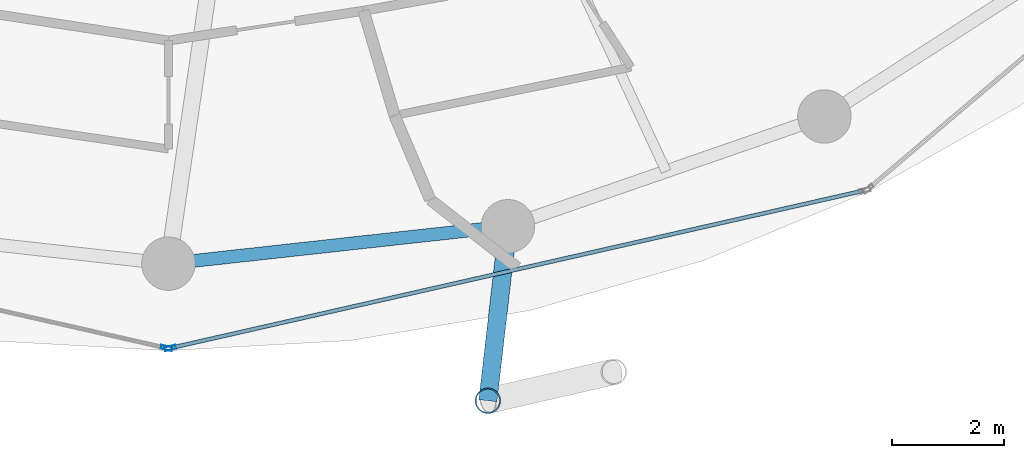
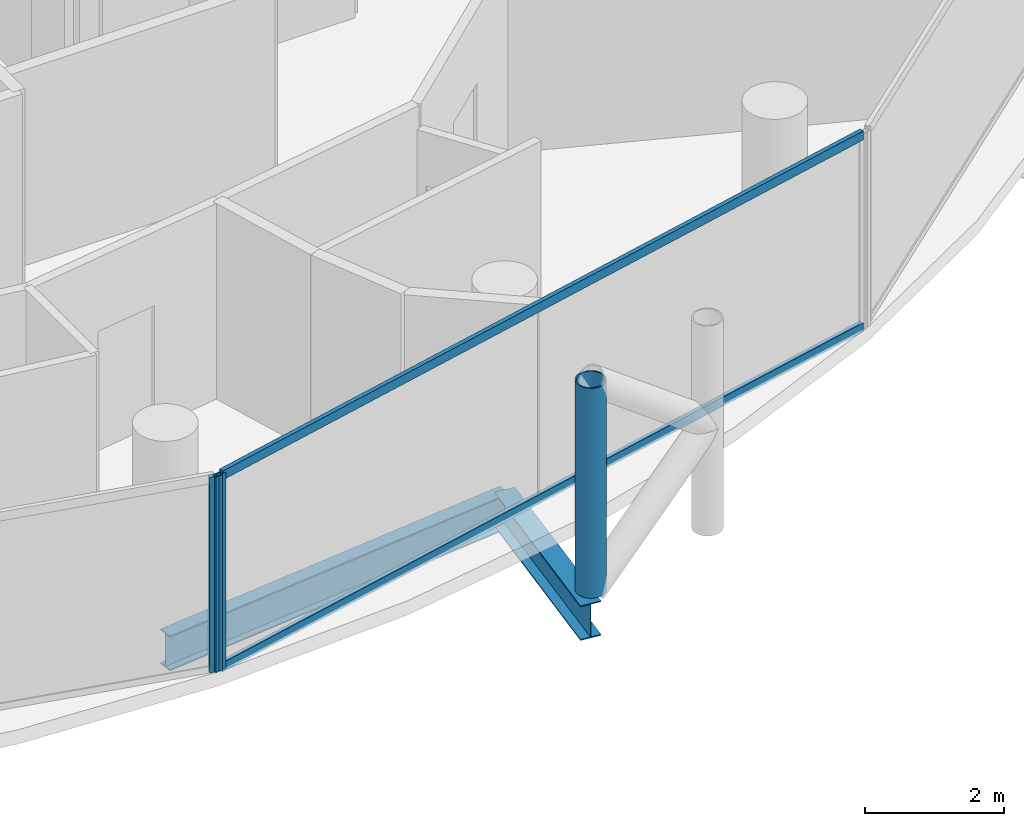
# One storey, part 4 of 26: 5 members, 2 beams, 2 elements without a shape of their own.
"""IFC4 building model written with IfcOpenShell, lengths in metres."""

from ifc_helpers import new_model, si_unit, direction, frame, origin, origin_2d, place, context, subcontext, project, spatial, hollow_rectangle, hollow_circle, i_section, extrude, material, layer, layer_set, material_profile, profile_set, type_object, element, aggregate, save


model = new_model("IFC4")

# Units and contexts
model_context = context("Model", 3, precision=1e-05, world=origin(), true_north=direction((0.0, 1.0)))
body_context = subcontext(model_context, "Body", "Model", "MODEL_VIEW")
ifc_project = project(units=[si_unit("LENGTHUNIT", "METRE"), si_unit("AREAUNIT", "SQUARE_METRE"), si_unit("VOLUMEUNIT", "CUBIC_METRE"), si_unit("PLANEANGLEUNIT", "RADIAN"), si_unit("MASSUNIT", "GRAM", prefix="KILO")], contexts=[model_context])

# Site, building, storey
site_placement = place(None, origin())
site = spatial("IfcSite", under=ifc_project, at=site_placement, CompositionType="ELEMENT")
building_placement = place(site_placement, origin())
building = spatial("IfcBuilding", under=site, at=building_placement, Name="Nuhasar Tower", CompositionType="ELEMENT")
storey_placement = place(building_placement, frame((0.0, 0.0, 144.14990234375)))
storey = spatial("IfcBuildingStorey", under=building, at=storey_placement, Name="L34", CompositionType="ELEMENT", Elevation=144.14990234375)

# Beams
ifc_material_1 = material(Name="Steel S355", Category="steel")
ifc_material_profile_1 = material_profile(ifc_material_1, i_section(OverallWidth=0.22998046875, OverallDepth=0.616943359375, WebThickness=0.01318359375, FlangeThickness=0.022216796875, at=origin_2d()), Name="W24X94")
ifc_profile_set_1 = profile_set([ifc_material_profile_1], Name="Steel S355")
beam_type_1 = type_object("IfcBeamType", Name="BM-RING-W24X94", PredefinedType="SPANDREL", material=ifc_profile_set_1)
beam_1_placement = place(storey_placement, frame((39.0, 7.25, -0.558837890625), z_axis=(0.993981289157, 0.109549974015, 0.0), x_axis=(-0.109549974015, 0.993981289157, 0.0)))
element("IfcBeam", 1, at=beam_1_placement, inside=storey, type_object=beam_type_1, Name="L34 Perimeter Ring Spandrel 19", PredefinedType="SPANDREL", context=body_context, shape_type="SweptSolid", body=[
    extrude(i_section(OverallWidth=0.22998046875, OverallDepth=0.616943359375, WebThickness=0.01318359375, FlangeThickness=0.022216796875, at=origin_2d()), origin(), (0.0, 0.0, 1.0), 6.07958984375),
])
ifc_material_profile_2 = material_profile(ifc_material_1, i_section(OverallWidth=0.323974609375, OverallDepth=0.611083984375, WebThickness=0.0126953125, FlangeThickness=0.01904296875, at=origin_2d()), Name="W24X104")
ifc_profile_set_2 = profile_set([ifc_material_profile_2], Name="Steel S355")
beam_type_2 = type_object("IfcBeamType", Name="BM-TIE-W24X104", PredefinedType="BEAM", material=ifc_profile_set_2)
beam_2_placement = place(storey_placement, frame((45.04296875, 7.916015625, -0.554931640625), z_axis=(-0.114167639647, -0.993461499031, 0.0), x_axis=(0.993461499031, -0.114167639647, 0.0)))
element("IfcBeam", 2, at=beam_2_placement, inside=storey, type_object=beam_type_2, Name="L34 Exoskeleton Node Tie Beam 10", PredefinedType="BEAM", context=body_context, shape_type="SweptSolid", body=[
    extrude(i_section(OverallWidth=0.323974609375, OverallDepth=0.611083984375, WebThickness=0.0126953125, FlangeThickness=0.01904296875, at=origin_2d()), origin(), (0.0, 0.0, 1.0), 3.12646484375),
])

# Curtain wall, member
ifc_material_2 = material(Name="Aluminium 6063-T6", Category="aluminium")
ifc_layer = layer(ifc_material_2, 0.199951171875)
ifc_layer_set = layer_set([ifc_layer], Name="Aluminium 6063-T6")
curtain_wall_type = type_object("IfcCurtainWallType", Name="CW-Z2-HTL", PredefinedType="NOTDEFINED", material=ifc_layer_set)
curtain_wall_1_placement = place(storey_placement, origin())
curtain_wall_1 = element("IfcCurtainWall", 3, at=curtain_wall_1_placement, inside=storey, type_object=curtain_wall_type, Name="L34 Unitised Curtain Wall 09", PredefinedType="NOTDEFINED")
ifc_material_profile_3 = material_profile(ifc_material_2, hollow_rectangle(XDim=0.070068359375, YDim=0.199951171875, WallThickness=0.0048828125, at=origin_2d()), Name="CWM-3")
ifc_profile_set_3 = profile_set([ifc_material_profile_3], Name="Aluminium 6063-T6")
member_type_1 = type_object("IfcMemberType", Name="CW-MUL-S3", PredefinedType="MULLION", material=ifc_profile_set_3)
member_1_placement = place(storey_placement, frame((38.9658203125, 5.747802734375, 0.0), z_axis=(0.0, 0.0, 1.0), x_axis=(0.22139729566, 0.975183694221, 0.0)))
member_1 = element("IfcMember", 4, at=member_1_placement, type_object=member_type_1, Name="CW-Z2 mullion 2", PredefinedType="MULLION", context=body_context, shape_type="SweptSolid", body=[
    extrude(hollow_rectangle(XDim=0.070068359375, YDim=0.199951171875, WallThickness=0.0048828125, at=origin_2d()), origin(), (0.0, 0.0, 1.0), 3.4501953125),
])
aggregate(curtain_wall_1, [member_1])

# Curtain wall, members
curtain_wall_2_placement = place(storey_placement, origin())
curtain_wall_2 = element("IfcCurtainWall", 5, at=curtain_wall_2_placement, inside=storey, type_object=curtain_wall_type, Name="L34 Unitised Curtain Wall 10", PredefinedType="NOTDEFINED")
member_2_placement = place(storey_placement, frame((39.0341796875, 5.747802734375, 0.0), z_axis=(0.0, 0.0, 1.0), x_axis=(-0.22139729566, 0.975183694221, 0.0)))
member_2 = element("IfcMember", 6, at=member_2_placement, type_object=member_type_1, Name="CW-Z2 mullion 1", PredefinedType="MULLION", context=body_context, shape_type="SweptSolid", body=[
    extrude(hollow_rectangle(XDim=0.070068359375, YDim=0.199951171875, WallThickness=0.0048828125, at=origin_2d()), origin(), (0.0, 0.0, 1.0), 3.4501953125),
])
ifc_material_profile_4 = material_profile(ifc_material_2, hollow_rectangle(XDim=0.070068359375, YDim=0.159912109375, WallThickness=0.00439453125, at=origin_2d()), Name="CWT-3")
ifc_profile_set_4 = profile_set([ifc_material_profile_4], Name="Aluminium 6063-T6")
member_type_2 = type_object("IfcMemberType", Name="CW-TRN-S3", PredefinedType="USERDEFINED", material=ifc_profile_set_4)
member_3_placement = place(storey_placement, frame((39.068359375, 5.755615234375, 0.03515625), z_axis=(0.975187615691, 0.221380022142, 0.0), x_axis=(-0.221380022142, 0.975187615691, 0.0)))
member_3 = element("IfcMember", 7, at=member_3_placement, type_object=member_type_2, Name="CW-Z2 transom 1.1", ObjectType="TRANSOM", PredefinedType="USERDEFINED", context=body_context, shape_type="SweptSolid", body=[
    extrude(hollow_rectangle(XDim=0.070068359375, YDim=0.159912109375, WallThickness=0.00439453125, at=origin_2d()), origin(), (0.0, 0.0, 1.0), 12.606201171875),
])
member_4_placement = place(storey_placement, frame((39.068359375, 5.755615234375, 3.4150390625), z_axis=(0.975187615691, 0.221380022142, 0.0), x_axis=(-0.221380022142, 0.975187615691, 0.0)))
member_4 = element("IfcMember", 8, at=member_4_placement, type_object=member_type_2, Name="CW-Z2 transom 1.2", ObjectType="TRANSOM", PredefinedType="USERDEFINED", context=body_context, shape_type="SweptSolid", body=[
    extrude(hollow_rectangle(XDim=0.070068359375, YDim=0.159912109375, WallThickness=0.00439453125, at=origin_2d()), origin(), (0.0, 0.0, 1.0), 12.606201171875),
])
aggregate(curtain_wall_2, [member_2, member_3, member_4])

# Member
ifc_material_3 = material(Name="Steel S460", Category="steel")
ifc_material_profile_5 = material_profile(ifc_material_3, hollow_circle(Radius=0.228515625, WallThickness=0.022216796875, at=origin_2d()), Name="HSS457X22.2")
ifc_profile_set_5 = profile_set([ifc_material_profile_5], Name="Steel S460")
member_type_3 = type_object("IfcMemberType", Name="EXO-BRONZE-457", PredefinedType="BRACE", material=ifc_profile_set_5)
member_5_placement = place(storey_placement, frame((44.68603515625, 4.81005859375, 0.0), z_axis=(0.0, 0.0, 1.0), x_axis=(1.0, 0.0, 0.0)))
element("IfcMember", 9, at=member_5_placement, inside=storey, type_object=member_type_3, Name="L34 Exoskeleton Chord Column EC-10A", PredefinedType="BRACE", context=body_context, shape_type="SweptSolid", body=[
    extrude(hollow_circle(Radius=0.228515625, WallThickness=0.022216796875, at=origin_2d()), origin(), (0.0, 0.0, 1.0), 3.7001953125),
])

save(model, "model.ifc")
